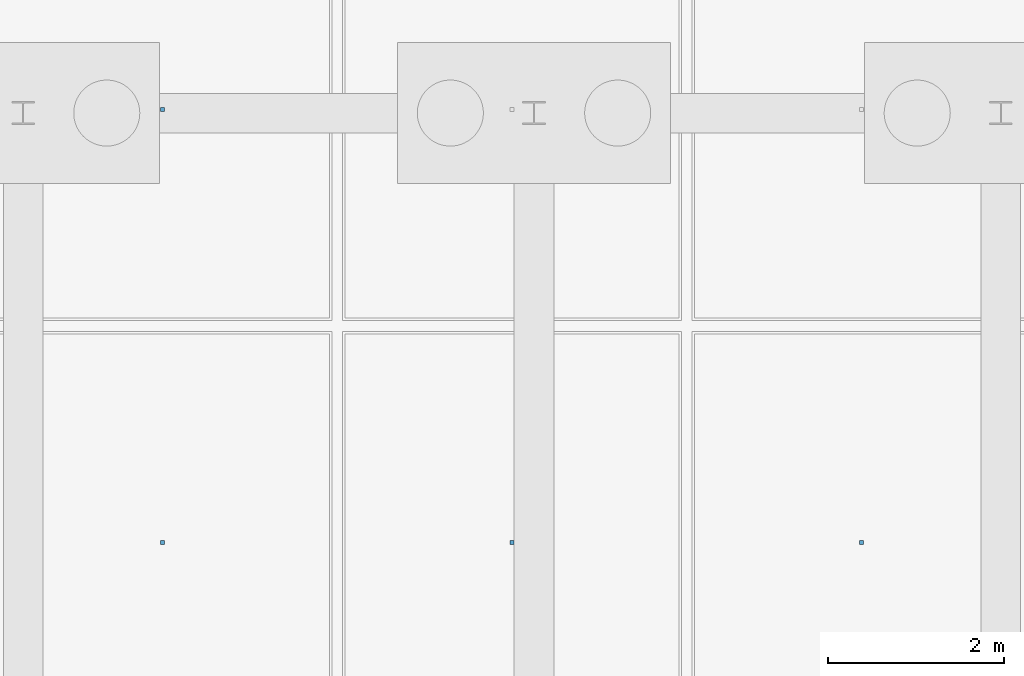
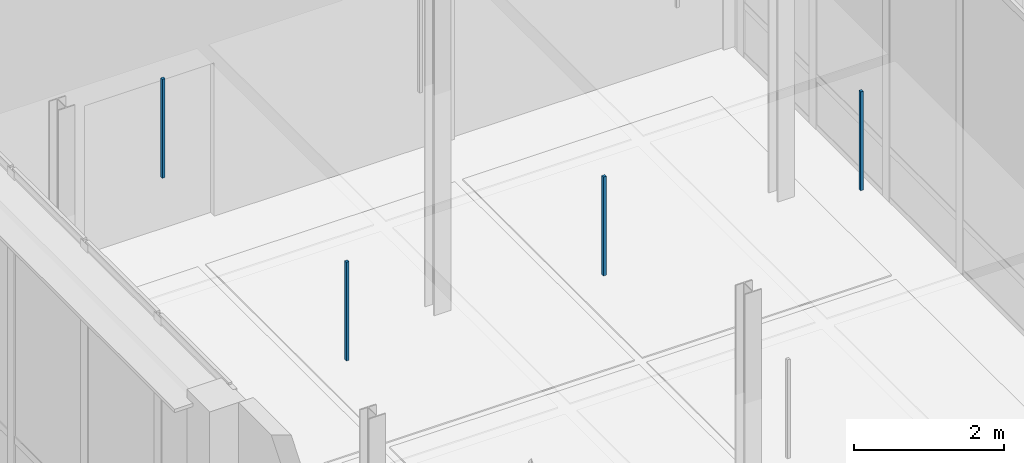
# One storey, part 133 of 180: 4 discrete accessories.
"""IFC4 building model written with IfcOpenShell, lengths in metres."""

from ifc_helpers import new_model, si_unit, direction, frame, origin, origin_2d, place, context, subcontext, project, spatial, rectangle, extrude, material, type_object, element, save


model = new_model("IFC4")

# Units and contexts
model_context = context("Model", 3, precision=1e-05, world=origin(), true_north=direction((0.0, 1.0)))
body_context = subcontext(model_context, "Body", "Model", "MODEL_VIEW")
ifc_project = project(units=[si_unit("LENGTHUNIT", "METRE"), si_unit("AREAUNIT", "SQUARE_METRE"), si_unit("VOLUMEUNIT", "CUBIC_METRE"), si_unit("PLANEANGLEUNIT", "RADIAN"), si_unit("MASSUNIT", "GRAM", prefix="KILO"), si_unit("THERMODYNAMICTEMPERATUREUNIT", "KELVIN"), si_unit("POWERUNIT", "WATT")], contexts=[model_context])

# Site, building, storey
site_placement = place(None, origin())
site = spatial("IfcSite", under=ifc_project, at=site_placement, CompositionType="ELEMENT")
building_placement = place(site_placement, origin())
building = spatial("IfcBuilding", under=site, at=building_placement, Name="Tallowbark Science Centre", CompositionType="ELEMENT")
storey_placement = place(building_placement, origin())
storey = spatial("IfcBuildingStorey", under=building, at=storey_placement, Name="L00", CompositionType="ELEMENT", Elevation=0.0)

# Discrete accessories
ifc_material = material(Name="Galvanised Steel Grade C350L0 (350 MPa)", Category="steel")
discrete_accessory_type = type_object("IfcDiscreteAccessoryType", Name="ACC-CLG-HNG", PredefinedType="BRACKET", material=ifc_material)
for number, where, z_axis, x_axis, name in (
    (1, (101.783203125, 63.625, 3.609375), (0.0, 0.0, 1.0), (1.0, 0.0, 0.0), "Ceiling Hanger Bracket L00-469"),
    (2, (101.783203125, 68.541748046875, 3.609375), (0.0, 0.0, 1.0), (1.0, 0.0, 0.0), "Ceiling Hanger Bracket L00-470"),
    (3, (105.75, 63.625, 3.609375), (0.0, 0.0, 1.0), (1.0, 0.0, 0.0), "Ceiling Hanger Bracket L00-475"),
    (4, (109.716796875, 63.625, 3.609375), (0.0, 0.0, 1.0), (1.0, 0.0, 0.0), "Ceiling Hanger Bracket L00-481"),
):
    element("IfcDiscreteAccessory", number, at=place(storey_placement, frame(where, z_axis=z_axis, x_axis=x_axis)), inside=storey, type_object=discrete_accessory_type, Name=name, PredefinedType="BRACKET", context=body_context, shape_type="SweptSolid", body=[
        extrude(rectangle(XDim=0.044921875, YDim=0.044921875, at=origin_2d()), origin(), (0.0, 0.0, 1.0), 1.613525390625),
    ])

save(model, "model.ifc")
